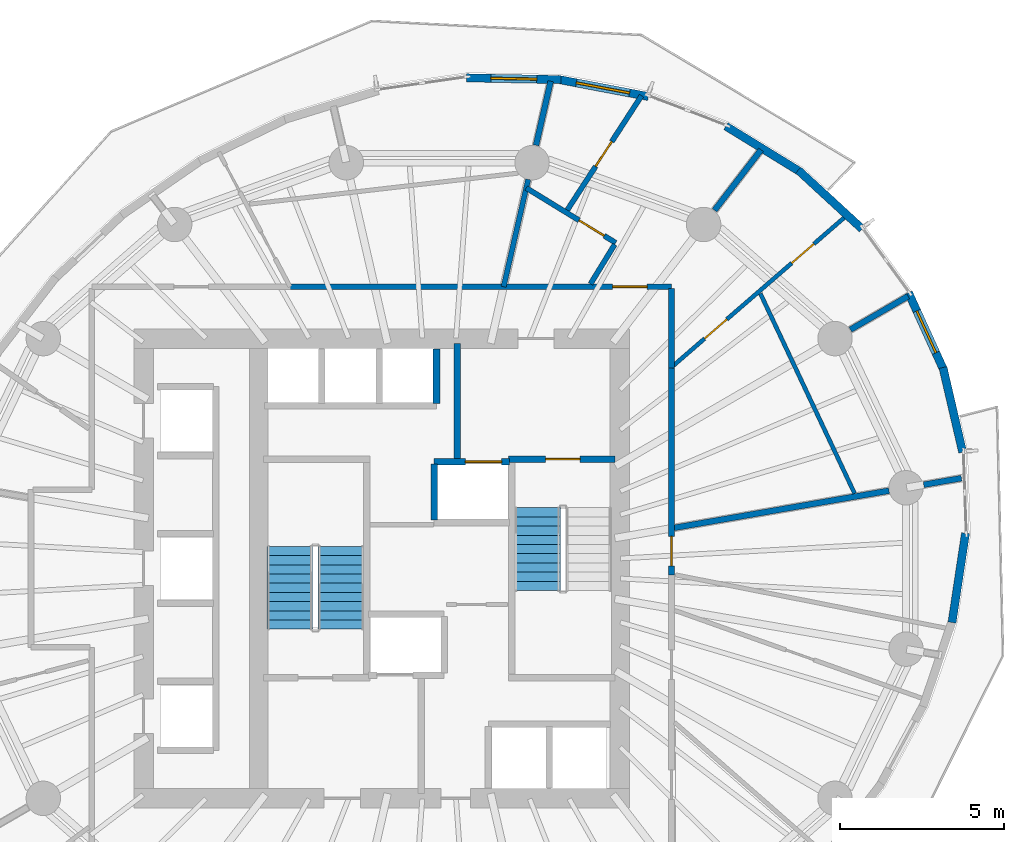
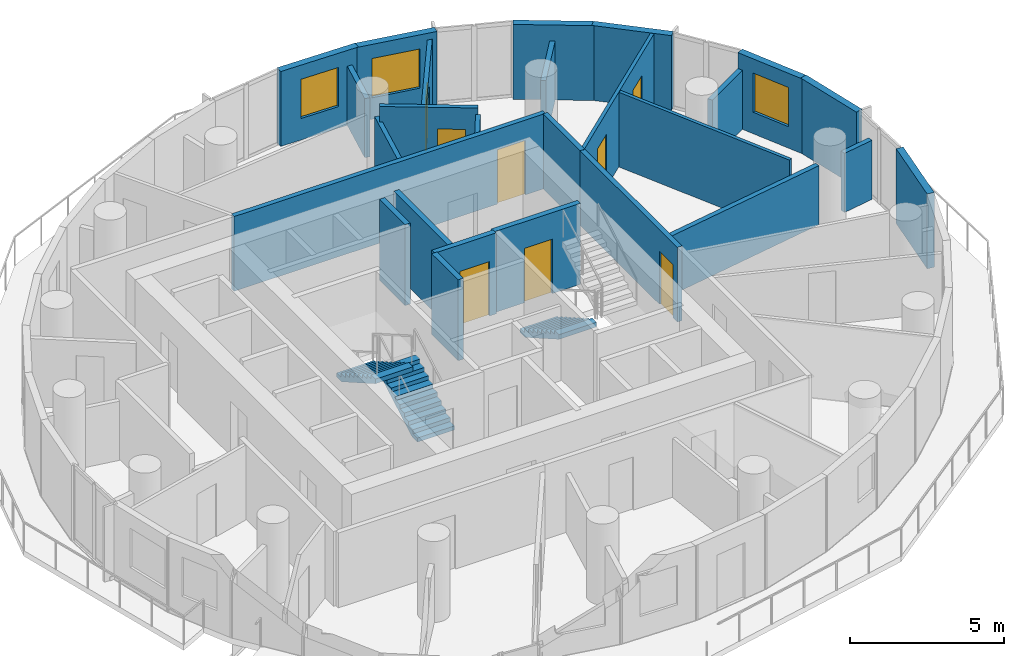
# One storey, part 8 of 14: 26 walls, 8 doors, 3 stair flights, 3 windows, 11 openings, 2 elements without a shape of their own.
"""IFC4 building model written with IfcOpenShell, lengths in metres."""

from ifc_helpers import new_model, si_unit, direction, frame, frame_2d, origin, place, context, subcontext, project, spatial, polyline, rectangle, outline, extrude, material, layer, layer_set, type_object, element, fill, aggregate, save


model = new_model("IFC4")

# Units and contexts
model_context = context("Model", 3, precision=1e-05, world=origin(), true_north=direction((0.0, 1.0)))
body_context = subcontext(model_context, "Body", "Model", "MODEL_VIEW")
ifc_project = project(units=[si_unit("LENGTHUNIT", "METRE"), si_unit("AREAUNIT", "SQUARE_METRE"), si_unit("VOLUMEUNIT", "CUBIC_METRE"), si_unit("PLANEANGLEUNIT", "RADIAN"), si_unit("MASSUNIT", "GRAM", prefix="KILO")], contexts=[model_context])

# Site, building, storey
site_placement = place(None, origin())
site = spatial("IfcSite", under=ifc_project, at=site_placement, CompositionType="ELEMENT")
building_placement = place(site_placement, origin())
building = spatial("IfcBuilding", under=site, at=building_placement, Name="Veldorim Arch Residences", CompositionType="ELEMENT")
storey_placement = place(building_placement, frame((0.0, 0.0, 123.360107421875)))
storey = spatial("IfcBuildingStorey", under=building, at=storey_placement, Name="L36", CompositionType="ELEMENT", Elevation=123.360107421875)

# Wall, openings, doors
ifc_material_1 = material(Name="Acoustic Gypsum Board", Category="gypsum")
ifc_layer_1 = layer(ifc_material_1, 0.125, Name="Acoustic Stud Room Partition Wall 125")
ifc_layer_set_1 = layer_set([ifc_layer_1], Name="Acoustic Gypsum Board")
wall_type_1 = type_object("IfcWallType", Name="Acoustic Stud Room Partition Wall 125", PredefinedType="PARTITIONING", material=ifc_layer_set_1)
wall_1_placement = place(storey_placement, frame((44.415283203125, 34.75244140625, 0.0), z_axis=(0.0, 0.0, 1.0), x_axis=(-0.755899043164, -0.654688197957, 0.0)))
wall_1 = element("IfcWall", 1, at=wall_1_placement, inside=storey, type_object=wall_type_1, Name="L36 interior wall WL-RES-L36-021", PredefinedType="PARTITIONING", context=body_context, shape_type="SweptSolid", body=[
    extrude(rectangle(XDim=7.05810546875, YDim=0.125, at=frame_2d((3.529052734375, 0.0))), origin(), (0.0, 0.0, 1.0), 2.954833984375),
])
opening_1_placement = place(wall_1_placement, frame((1.322998046875, 0.0, 0.0)))
opening_1 = element("IfcOpeningElement", 2, at=opening_1_placement, cuts=wall_1, Name="Opening DR-INT", PredefinedType="OPENING", context=body_context, shape_type="SweptSolid", body=[
    extrude(rectangle(XDim=0.89990234375, YDim=2.10009765625, at=frame_2d((0.449951171875, 1.050048828125))), frame((0.0, 0.072509765625, 0.0), z_axis=(0.0, -1.0, 0.0), x_axis=(1.0, 0.0, 0.0)), (0.0, 0.0, 1.0), 0.14501953125),
])
opening_2_placement = place(wall_1_placement, frame((4.83154296875, 0.0, 0.0)))
opening_2 = element("IfcOpeningElement", 3, at=opening_2_placement, cuts=wall_1, Name="Opening DR-INT", PredefinedType="OPENING", context=body_context, shape_type="SweptSolid", body=[
    extrude(rectangle(XDim=0.89990234375, YDim=2.10009765625, at=frame_2d((0.449951171875, 1.050048828125))), frame((0.0, 0.072509765625, 0.0), z_axis=(0.0, -1.0, 0.0), x_axis=(1.0, 0.0, 0.0)), (0.0, 0.0, 1.0), 0.14501953125),
])
ifc_material_2 = material(Name="Engineered Timber", Category="wood")
door_type_1 = type_object("IfcDoorType", Name="Apartment Internal Room Timber Door 900x2100", OperationType="SINGLE_SWING_LEFT", PredefinedType="DOOR", material=ifc_material_2)
door_1_placement = place(opening_1_placement, origin())
door_1 = element("IfcDoor", 4, at=door_1_placement, inside=storey, type_object=door_type_1, Name="L36 interior door DR-RES-L36-009", OperationType="SINGLE_SWING_LEFT", OverallHeight=2.10009765625, OverallWidth=0.89990234375, PredefinedType="DOOR", context=body_context, shape_type="SweptSolid", body=[
    extrude(rectangle(XDim=0.89990234375, YDim=2.10009765625, at=frame_2d((0.449951171875, 1.050048828125))), frame((0.0, 0.02490234375, 0.0), z_axis=(0.0, -1.0, 0.0), x_axis=(1.0, 0.0, 0.0)), (0.0, 0.0, 1.0), 0.050048828125),
])
fill(opening_1, door_1)
door_2_placement = place(opening_2_placement, origin())
door_2 = element("IfcDoor", 5, at=door_2_placement, inside=storey, type_object=door_type_1, Name="L36 interior door DR-RES-L36-010", OperationType="SINGLE_SWING_RIGHT", OverallHeight=2.10009765625, OverallWidth=0.89990234375, PredefinedType="DOOR", context=body_context, shape_type="SweptSolid", body=[
    extrude(rectangle(XDim=0.89990234375, YDim=2.10009765625, at=frame_2d((0.449951171875, 1.050048828125))), frame((0.0, 0.02490234375, 0.0), z_axis=(0.0, -1.0, 0.0), x_axis=(1.0, 0.0, 0.0)), (0.0, 0.0, 1.0), 0.050048828125),
])
fill(opening_2, door_2)

# Walls
wall_2_placement = place(storey_placement, frame((44.6533203125, 26.284912109375, 0.0), z_axis=(0.0, 0.0, 1.0), x_axis=(-0.426326363779, 0.90456941776, 0.0)))
element("IfcWall", 6, at=wall_2_placement, inside=storey, type_object=wall_type_1, Name="L36 interior wall WL-RES-L36-025", PredefinedType="PARTITIONING", context=body_context, shape_type="SweptSolid", body=[
    extrude(rectangle(XDim=6.729248046875, YDim=0.125, at=frame_2d((3.36474609375, 0.0))), origin(), (0.0, 0.0, 1.0), 2.954833984375),
])
ifc_material_3 = material(Name="Lightweight Masonry Block & Gypsum", Category="masonry")
ifc_layer_2 = layer(ifc_material_3, 0.179931640625, Name="Compartment & Corridor Fire-Rated Party Wall 180")
ifc_layer_set_2 = layer_set([ifc_layer_2], Name="Lightweight Masonry Block & Gypsum")
wall_type_2 = type_object("IfcWallType", Name="Compartment & Corridor Fire-Rated Party Wall 180", PredefinedType="PARTITIONING", material=ifc_layer_set_2)
wall_3_placement = place(storey_placement, frame((46.75830078125, 26.55078125, 0.0), z_axis=(0.0, 0.0, 1.0), x_axis=(0.98537549431, 0.170396992969, 0.0)))
element("IfcWall", 7, at=wall_3_placement, inside=storey, type_object=wall_type_2, Name="L36 interior wall WL-PIER-L36-01", PredefinedType="PARTITIONING", context=body_context, shape_type="SweptSolid", body=[
    extrude(rectangle(XDim=1.167724609375, YDim=0.179931640625, at=frame_2d((0.583984375, 0.0))), origin(), (0.0, 0.0, 1.0), 2.335693359375),
])
wall_4_placement = place(storey_placement, frame((44.527587890625, 31.27392578125, 0.0), z_axis=(0.0, 0.0, 1.0), x_axis=(0.86481084581, 0.502097800203, 0.0)))
element("IfcWall", 8, at=wall_4_placement, inside=storey, type_object=wall_type_2, Name="L36 interior wall WL-PIER-L36-02", PredefinedType="PARTITIONING", context=body_context, shape_type="SweptSolid", body=[
    extrude(rectangle(XDim=2.030029296875, YDim=0.179931640625, at=frame_2d((1.01513671875, 0.0))), origin(), (0.0, 0.0, 1.0), 2.335693359375),
])
wall_5_placement = place(storey_placement, frame((40.387939453125, 34.908447265625, 0.0), z_axis=(0.0, 0.0, 1.0), x_axis=(0.609553382458, 0.792745024541, 0.0)))
element("IfcWall", 9, at=wall_5_placement, inside=storey, type_object=wall_type_2, Name="L36 interior wall WL-PIER-L36-03", PredefinedType="PARTITIONING", context=body_context, shape_type="SweptSolid", body=[
    extrude(rectangle(XDim=2.32421875, YDim=0.179931640625, at=frame_2d((1.162109375, 0.0))), origin(), (0.0, 0.0, 1.0), 2.335693359375),
])
wall_6_placement = place(storey_placement, frame((34.950439453125, 36.88916015625, 0.0), z_axis=(0.0, 0.0, 1.0), x_axis=(0.2231492674, 0.974784286116, 0.0)))
element("IfcWall", 10, at=wall_6_placement, inside=storey, type_object=wall_type_2, Name="L36 interior wall WL-PIER-L36-04", PredefinedType="PARTITIONING", context=body_context, shape_type="SweptSolid", body=[
    extrude(rectangle(XDim=2.002197265625, YDim=0.179931640625, at=frame_2d((1.0009765625, 0.0))), origin(), (0.0, 0.0, 1.0), 2.335693359375),
])

# Wall, opening, door
wall_7_placement = place(storey_placement, frame((39.080078125, 30.158203125, 0.0), z_axis=(0.0, 0.0, 1.0), x_axis=(0.0, -1.0, 0.0)))
wall_7 = element("IfcWall", 11, at=wall_7_placement, inside=storey, type_object=wall_type_2, Name="L36 interior wall WL-RES-L36-003", PredefinedType="PARTITIONING", context=body_context, shape_type="SweptSolid", body=[
    extrude(rectangle(XDim=6.350341796875, YDim=0.179931640625, at=frame_2d((3.17529296875, 0.0))), origin(), (0.0, 0.0, 1.0), 2.954833984375),
])
opening_3_placement = place(wall_7_placement, frame((5.18212890625, 0.0, 0.0)))
opening_3 = element("IfcOpeningElement", 12, at=opening_3_placement, cuts=wall_7, Name="Opening DR-INT", PredefinedType="OPENING", context=body_context, shape_type="SweptSolid", body=[
    extrude(rectangle(XDim=0.89990234375, YDim=2.10009765625, at=frame_2d((0.449951171875, 1.050048828125))), frame((0.0, 0.099853515625, 0.0), z_axis=(0.0, -1.0, 0.0), x_axis=(1.0, 0.0, 0.0)), (0.0, 0.0, 1.0), 0.199951171875),
])
door_3_placement = place(opening_3_placement, origin())
door_3 = element("IfcDoor", 13, at=door_3_placement, inside=storey, type_object=door_type_1, Name="L36 interior door DR-RES-L36-005", OperationType="SINGLE_SWING_LEFT", OverallHeight=2.10009765625, OverallWidth=0.89990234375, PredefinedType="DOOR", context=body_context, shape_type="SweptSolid", body=[
    extrude(rectangle(XDim=0.89990234375, YDim=2.10009765625, at=frame_2d((0.449951171875, 1.050048828125))), frame((0.0, 0.02490234375, 0.0), z_axis=(0.0, -1.0, 0.0), x_axis=(1.0, 0.0, 0.0)), (0.0, 0.0, 1.0), 0.050048828125),
])
fill(opening_3, door_3)

wall_8_placement = place(storey_placement, frame((27.435302734375, 32.580078125, 0.0), z_axis=(0.0, 0.0, 1.0), x_axis=(1.0, 0.0, 0.0)))
wall_8 = element("IfcWall", 14, at=wall_8_placement, inside=storey, type_object=wall_type_2, Name="L36 interior wall WL-RES-L36-004", PredefinedType="PARTITIONING", context=body_context, shape_type="SweptSolid", body=[
    extrude(rectangle(XDim=11.644775390625, YDim=0.179931640625, at=frame_2d((5.822265625, 0.0))), origin(), (0.0, 0.0, 1.0), 2.954833984375),
])
opening_4_placement = place(wall_8_placement, frame((9.848388671875, 0.0, 0.0)))
opening_4 = element("IfcOpeningElement", 15, at=opening_4_placement, cuts=wall_8, Name="Opening DR-FLT", PredefinedType="OPENING", context=body_context, shape_type="SweptSolid", body=[
    extrude(rectangle(XDim=1.050048828125, YDim=2.14990234375, at=frame_2d((0.52490234375, 1.074951171875))), frame((0.0, 0.099853515625, 0.0), z_axis=(0.0, -1.0, 0.0), x_axis=(1.0, 0.0, 0.0)), (0.0, 0.0, 1.0), 0.199951171875),
])
ifc_material_4 = material(Name="Fire-Rated Timber", Category="wood")
door_type_2 = type_object("IfcDoorType", Name="Apartment Entrance Solid-Core Fire Door 1050x2150", OperationType="SINGLE_SWING_LEFT", PredefinedType="DOOR", material=ifc_material_4)
door_4_placement = place(opening_4_placement, origin())
door_4 = element("IfcDoor", 16, at=door_4_placement, inside=storey, type_object=door_type_2, Name="L36 interior door DR-RES-L36-007", OperationType="SINGLE_SWING_LEFT", OverallHeight=2.14990234375, OverallWidth=1.050048828125, PredefinedType="DOOR", context=body_context, shape_type="SweptSolid", body=[
    extrude(rectangle(XDim=1.050048828125, YDim=2.14990234375, at=frame_2d((0.52490234375, 1.074951171875))), frame((0.0, 0.02490234375, 0.0), z_axis=(0.0, -1.0, 0.0), x_axis=(1.0, 0.0, 0.0)), (0.0, 0.0, 1.0), 0.050048828125),
])
fill(opening_4, door_4)

# Walls
wall_9_placement = place(storey_placement, frame((39.080078125, 32.52001953125, 0.0), z_axis=(0.0, 0.0, 1.0), x_axis=(0.0, -1.0, 0.0)))
element("IfcWall", 17, at=wall_9_placement, inside=storey, type_object=wall_type_2, Name="L36 interior wall WL-RES-L36-005", PredefinedType="PARTITIONING", context=body_context, shape_type="SweptSolid", body=[
    extrude(rectangle(XDim=2.408203125, YDim=0.179931640625, at=frame_2d((1.2041015625, 0.0))), origin(), (0.0, 0.0, 1.0), 2.954833984375),
])
wall_10_placement = place(storey_placement, frame((39.080078125, 25.2236328125, 0.0), z_axis=(0.0, 0.0, 1.0), x_axis=(0.985384524795, 0.17034476304, 0.0)))
element("IfcWall", 18, at=wall_10_placement, inside=storey, type_object=wall_type_2, Name="L36 interior wall WL-RES-L36-019", PredefinedType="PARTITIONING", context=body_context, shape_type="SweptSolid", body=[
    extrude(rectangle(XDim=6.7216796875, YDim=0.179931640625, at=frame_2d((3.36083984375, 0.0))), origin(), (0.0, 0.0, 1.0), 2.335693359375),
])

# Wall, opening, door
ifc_material_5 = material(Name="Concrete C50/60", Category="concrete")
ifc_layer_3 = layer(ifc_material_5, 0.199951171875, Name="Core Stair & Lift Shaft Enclosure Wall 200")
ifc_layer_set_3 = layer_set([ifc_layer_3], Name="Concrete C50/60")
wall_type_3 = type_object("IfcWallType", Name="Core Stair & Lift Shaft Enclosure Wall 200", PredefinedType="SHEAR", material=ifc_layer_set_3)
wall_11_placement = place(storey_placement, frame((34.110107421875, 27.330078125, 0.0), z_axis=(0.0, 0.0, 1.0), x_axis=(1.0, 0.0, 0.0)))
wall_11 = element("IfcWall", 19, at=wall_11_placement, inside=storey, type_object=wall_type_3, Name="L36 shaft wall WL-SHF-L36-ST2-N", PredefinedType="SHEAR", context=body_context, shape_type="SweptSolid", body=[
    extrude(rectangle(XDim=3.239990234375, YDim=0.199951171875, at=frame_2d((1.6201171875, 0.0))), origin(), (0.0, 0.0, 1.0), 3.199951171875),
])
opening_5_placement = place(wall_11_placement, frame((1.135009765625, 0.0, 0.0)))
opening_5 = element("IfcOpeningElement", 20, at=opening_5_placement, cuts=wall_11, Name="Opening DR-ST", PredefinedType="OPENING", context=body_context, shape_type="SweptSolid", body=[
    extrude(rectangle(XDim=1.050048828125, YDim=2.14990234375, at=frame_2d((0.52490234375, 1.074951171875))), frame((0.0, 0.10986328125, 0.0), z_axis=(0.0, -1.0, 0.0), x_axis=(1.0, 0.0, 0.0)), (0.0, 0.0, 1.0), 0.219970703125),
])
ifc_material_6 = material(Name="Fire-Rated Steel", Category="steel")
door_type_3 = type_object("IfcDoorType", Name="Exit Staircase Self-Closing Fire Door 1050x2150", OperationType="SINGLE_SWING_LEFT", PredefinedType="DOOR", material=ifc_material_6)
door_5_placement = place(opening_5_placement, origin())
door_5 = element("IfcDoor", 21, at=door_5_placement, inside=storey, type_object=door_type_3, Name="L36 interior door DR-L36-ST2", OperationType="SINGLE_SWING_RIGHT", OverallHeight=2.14990234375, OverallWidth=1.050048828125, PredefinedType="DOOR", context=body_context, shape_type="SweptSolid", body=[
    extrude(rectangle(XDim=1.050048828125, YDim=2.14990234375, at=frame_2d((0.52490234375, 1.074951171875))), frame((0.0, 0.02490234375, 0.0), z_axis=(0.0, -1.0, 0.0), x_axis=(1.0, 0.0, 0.0)), (0.0, 0.0, 1.0), 0.050048828125),
])
fill(opening_5, door_5)

# Wall
wall_12_placement = place(storey_placement, frame((32.550048828125, 27.35009765625, 0.0), z_axis=(0.0, 0.0, 1.0), x_axis=(0.0, 1.0, 0.0)))
element("IfcWall", 22, at=wall_12_placement, inside=storey, type_object=wall_type_3, Name="L36 shaft wall WL-FFL2-L36-W", PredefinedType="SHEAR", context=body_context, shape_type="SweptSolid", body=[
    extrude(rectangle(XDim=3.5, YDim=0.199951171875, at=frame_2d((1.75, 0.0))), origin(), (0.0, 0.0, 1.0), 3.199951171875),
])

# Wall, opening, door
wall_13_placement = place(storey_placement, frame((31.85009765625, 27.25, 0.0), z_axis=(0.0, 0.0, 1.0), x_axis=(1.0, 0.0, 0.0)))
wall_13 = element("IfcWall", 23, at=wall_13_placement, inside=storey, type_object=wall_type_3, Name="L36 shaft wall WL-FL02-L36-N", PredefinedType="SHEAR", context=body_context, shape_type="SweptSolid", body=[
    extrude(rectangle(XDim=2.2998046875, YDim=0.199951171875, at=frame_2d((1.14990234375, 0.0))), origin(), (0.0, 0.0, 1.0), 3.199951171875),
])
opening_6_placement = place(wall_13_placement, frame((0.949951171875, 0.0, 0.0)))
opening_6 = element("IfcOpeningElement", 24, at=opening_6_placement, cuts=wall_13, Name="Opening LD-FF", PredefinedType="OPENING", context=body_context, shape_type="SweptSolid", body=[
    extrude(rectangle(XDim=1.10009765625, YDim=2.14990234375, at=frame_2d((0.550048828125, 1.074951171875))), frame((0.0, 0.10986328125, 0.0), z_axis=(0.0, -1.0, 0.0), x_axis=(1.0, 0.0, 0.0)), (0.0, 0.0, 1.0), 0.219970703125),
])
ifc_material_7 = material(Name="Stainless Steel", Category="steel")
door_type_4 = type_object("IfcDoorType", Name="Firefighting Lift Bi-Parting Sliding Landing Door 1100x2150", OperationType="DOUBLE_DOOR_SLIDING", PredefinedType="DOOR", material=ifc_material_7)
door_6_placement = place(opening_6_placement, origin())
door_6 = element("IfcDoor", 25, at=door_6_placement, inside=storey, type_object=door_type_4, Name="L36 lift landing door LD-L36-FL02", OperationType="DOUBLE_DOOR_SLIDING", OverallHeight=2.14990234375, OverallWidth=1.10009765625, PredefinedType="DOOR", context=body_context, shape_type="SweptSolid", body=[
    extrude(rectangle(XDim=1.10009765625, YDim=2.14990234375, at=frame_2d((0.550048828125, 1.074951171875))), frame((0.0, 0.02490234375, 0.0), z_axis=(0.0, -1.0, 0.0), x_axis=(1.0, 0.0, 0.0)), (0.0, 0.0, 1.0), 0.050048828125),
])
fill(opening_6, door_6)

# Walls
wall_14_placement = place(storey_placement, frame((31.85009765625, 25.469970703125, 0.0), z_axis=(0.0, 0.0, 1.0), x_axis=(0.0, 1.0, 0.0)))
element("IfcWall", 26, at=wall_14_placement, inside=storey, type_object=wall_type_3, Name="L36 shaft wall WL-FL02-L36-W", PredefinedType="SHEAR", context=body_context, shape_type="SweptSolid", body=[
    extrude(rectangle(XDim=1.7099609375, YDim=0.199951171875, at=frame_2d((0.85498046875, 0.0))), origin(), (0.0, 0.0, 1.0), 3.199951171875),
])
wall_15_placement = place(storey_placement, frame((31.919921875, 29.02001953125, 0.0), z_axis=(0.0, 0.0, 1.0), x_axis=(0.0, 1.0, 0.0)))
element("IfcWall", 27, at=wall_15_placement, inside=storey, type_object=wall_type_3, Name="L36 shaft wall WL-B3-L36-E", PredefinedType="SHEAR", context=body_context, shape_type="SweptSolid", body=[
    extrude(rectangle(XDim=1.659912109375, YDim=0.199951171875, at=frame_2d((0.830078125, 0.0))), origin(), (0.0, 0.0, 1.0), 3.199951171875),
])
ifc_material_8 = material(Name="Precast concrete C40/50", Category="concrete")
ifc_layer_4 = layer(ifc_material_8, 0.25, Name="Tower Terracotta Spandrel & Pier Wall 250")
ifc_layer_set_4 = layer_set([ifc_layer_4], Name="Precast concrete C40/50")
wall_type_4 = type_object("IfcWallType", Name="Tower Terracotta Spandrel & Pier Wall 250", PredefinedType="SOLIDWALL", material=ifc_layer_set_4)
wall_16_placement = place(storey_placement, frame((42.938720703125, 36.132080078125, 0.0), z_axis=(0.0, 0.0, 1.0), x_axis=(0.73572884951, -0.677276206579, 0.0)))
element("IfcWall", 28, at=wall_16_placement, inside=storey, type_object=wall_type_4, Name="L36 terracotta facade wall 02", PredefinedType="SOLIDWALL", context=body_context, shape_type="SweptSolid", body=[
    extrude(rectangle(XDim=2.64794921875, YDim=0.25, at=frame_2d((1.323974609375, 0.0))), origin(), (0.0, 0.0, 1.0), 2.9599609375),
])
wall_17_placement = place(storey_placement, frame((40.734619140625, 37.472900390625, 0.0), z_axis=(0.0, 0.0, 1.0), x_axis=(0.852103133134, -0.523373910797, 0.0)))
element("IfcWall", 29, at=wall_17_placement, inside=storey, type_object=wall_type_4, Name="L36 terracotta facade wall 03", PredefinedType="SOLIDWALL", context=body_context, shape_type="SweptSolid", body=[
    extrude(rectangle(XDim=2.69287109375, YDim=0.25, at=frame_2d((1.346435546875, 0.0))), origin(), (0.0, 0.0, 1.0), 2.9599609375),
])

# Wall, opening, window
wall_18_placement = place(storey_placement, frame((35.6044921875, 38.901123046875, 0.0), z_axis=(0.0, 0.0, 1.0), x_axis=(0.982412055756, -0.18672587583, 0.0)))
wall_18 = element("IfcWall", 30, at=wall_18_placement, inside=storey, type_object=wall_type_4, Name="L36 terracotta facade wall 05", PredefinedType="SOLIDWALL", context=body_context, shape_type="SweptSolid", body=[
    extrude(rectangle(XDim=2.817626953125, YDim=0.25, at=frame_2d((1.40869140625, 0.0))), origin(), (0.0, 0.0, 1.0), 2.9599609375),
])
opening_7_placement = place(wall_18_placement, frame((0.583984375, 0.0, 0.85009765625)))
opening_7 = element("IfcOpeningElement", 31, at=opening_7_placement, cuts=wall_18, Name="Opening WN-03", PredefinedType="OPENING", context=body_context, shape_type="SweptSolid", body=[
    extrude(rectangle(XDim=1.64990234375, YDim=1.550048828125, at=frame_2d((0.824951171875, 0.77490234375))), frame((0.0, 0.135009765625, 0.0), z_axis=(0.0, -1.0, 0.0), x_axis=(1.0, 0.0, 0.0)), (0.0, 0.0, 1.0), 0.27001953125),
])
ifc_material_9 = material(Name="Laminated Low-E Glass", Category="glass")
window_type_1 = type_object("IfcWindowType", Name="Residential Wide Window 1650x1550", PartitioningType="SINGLE_PANEL", PredefinedType="WINDOW", material=ifc_material_9)
window_1_placement = place(opening_7_placement, origin())
window_1 = element("IfcWindow", 32, at=window_1_placement, inside=storey, type_object=window_type_1, Name="L36 solar-control facade window 05", OverallHeight=1.550048828125, OverallWidth=1.64990234375, PartitioningType="SINGLE_PANEL", PredefinedType="WINDOW", context=body_context, shape_type="SweptSolid", body=[
    extrude(rectangle(XDim=1.64990234375, YDim=1.550048828125, at=frame_2d((0.824951171875, 0.77490234375))), frame((0.0, 0.030029296875, 0.0), z_axis=(0.0, -1.0, 0.0), x_axis=(1.0, 0.0, 0.0)), (0.0, 0.0, 1.0), 0.06005859375),
])
fill(opening_7, window_1)

wall_19_placement = place(storey_placement, frame((32.83349609375, 38.944580078125, 0.0), z_axis=(0.0, 0.0, 1.0), x_axis=(0.99981990109, -0.018978023714, 0.0)))
wall_19 = element("IfcWall", 33, at=wall_19_placement, inside=storey, type_object=wall_type_4, Name="L36 terracotta facade wall 06", PredefinedType="SOLIDWALL", context=body_context, shape_type="SweptSolid", body=[
    extrude(rectangle(XDim=2.881591796875, YDim=0.25, at=frame_2d((1.44091796875, 0.0))), origin(), (0.0, 0.0, 1.0), 2.9599609375),
])
opening_8_placement = place(wall_19_placement, frame((0.740966796875, 0.0, 0.85009765625)))
opening_8 = element("IfcOpeningElement", 34, at=opening_8_placement, cuts=wall_19, Name="Opening WN-02", PredefinedType="OPENING", context=body_context, shape_type="SweptSolid", body=[
    extrude(rectangle(XDim=1.39990234375, YDim=1.550048828125, at=frame_2d((0.699951171875, 0.77490234375))), frame((0.0, 0.135009765625, 0.0), z_axis=(0.0, -1.0, 0.0), x_axis=(1.0, 0.0, 0.0)), (0.0, 0.0, 1.0), 0.27001953125),
])
ifc_material_10 = material(Name="Laminated Low-E Glass", Category="glass")
window_type_2 = type_object("IfcWindowType", Name="Residential Casement Window 1400x1550", PartitioningType="SINGLE_PANEL", PredefinedType="WINDOW", material=ifc_material_10)
window_2_placement = place(opening_8_placement, origin())
window_2 = element("IfcWindow", 35, at=window_2_placement, inside=storey, type_object=window_type_2, Name="L36 solar-control facade window 06", OverallHeight=1.550048828125, OverallWidth=1.39990234375, PartitioningType="SINGLE_PANEL", PredefinedType="WINDOW", context=body_context, shape_type="SweptSolid", body=[
    extrude(rectangle(XDim=1.39990234375, YDim=1.550048828125, at=frame_2d((0.699951171875, 0.77490234375))), frame((0.0, 0.030029296875, 0.0), z_axis=(0.0, -1.0, 0.0), x_axis=(1.0, 0.0, 0.0)), (0.0, 0.0, 1.0), 0.06005859375),
])
fill(opening_8, window_2)

# Walls
wall_20_placement = place(storey_placement, frame((48.033935546875, 25.07470703125, 0.0), z_axis=(0.0, 0.0, 1.0), x_axis=(-0.149576734229, -0.988750120393, 0.0)))
element("IfcWall", 36, at=wall_20_placement, inside=storey, type_object=wall_type_4, Name="L36 terracotta facade wall 33", PredefinedType="SOLIDWALL", context=body_context, shape_type="SweptSolid", body=[
    extrude(rectangle(XDim=2.751953125, YDim=0.25, at=frame_2d((1.3759765625, 0.0))), origin(), (0.0, 0.0, 1.0), 2.9599609375),
])
wall_21_placement = place(storey_placement, frame((47.34619140625, 30.1201171875, 0.0), z_axis=(0.0, 0.0, 1.0), x_axis=(0.226865331245, -0.973926137589, 0.0)))
element("IfcWall", 37, at=wall_21_placement, inside=storey, type_object=wall_type_4, Name="L36 terracotta facade wall 35", PredefinedType="SOLIDWALL", context=body_context, shape_type="SweptSolid", body=[
    extrude(rectangle(XDim=2.6484375, YDim=0.25, at=frame_2d((1.32421875, 0.0))), origin(), (0.0, 0.0, 1.0), 2.9599609375),
])

# Wall, opening, window
wall_22_placement = place(storey_placement, frame((46.295166015625, 32.399658203125, 0.0), z_axis=(0.0, 0.0, 1.0), x_axis=(0.41458087789, -0.910012470073, 0.0)))
wall_22 = element("IfcWall", 38, at=wall_22_placement, inside=storey, type_object=wall_type_4, Name="L36 terracotta facade wall 36", PredefinedType="SOLIDWALL", context=body_context, shape_type="SweptSolid", body=[
    extrude(rectangle(XDim=2.6240234375, YDim=0.25, at=frame_2d((1.31201171875, 0.0))), origin(), (0.0, 0.0, 1.0), 2.9599609375),
])
opening_9_placement = place(wall_22_placement, frame((0.612060546875, 0.0, 0.85009765625)))
opening_9 = element("IfcOpeningElement", 39, at=opening_9_placement, cuts=wall_22, Name="Opening WN-02", PredefinedType="OPENING", context=body_context, shape_type="SweptSolid", body=[
    extrude(rectangle(XDim=1.39990234375, YDim=1.550048828125, at=frame_2d((0.699951171875, 0.77490234375))), frame((0.0, 0.135009765625, 0.0), z_axis=(0.0, -1.0, 0.0), x_axis=(1.0, 0.0, 0.0)), (0.0, 0.0, 1.0), 0.27001953125),
])
window_3_placement = place(opening_9_placement, origin())
window_3 = element("IfcWindow", 40, at=window_3_placement, inside=storey, type_object=window_type_2, Name="L36 solar-control facade window 36", OverallHeight=1.550048828125, OverallWidth=1.39990234375, PartitioningType="SINGLE_PANEL", PredefinedType="WINDOW", context=body_context, shape_type="SweptSolid", body=[
    extrude(rectangle(XDim=1.39990234375, YDim=1.550048828125, at=frame_2d((0.699951171875, 0.77490234375))), frame((0.0, 0.030029296875, 0.0), z_axis=(0.0, -1.0, 0.0), x_axis=(1.0, 0.0, 0.0)), (0.0, 0.0, 1.0), 0.06005859375),
])
fill(opening_9, window_3)

# Wall, opening, door
ifc_material_11 = material(Name="Moisture-Resistant Gypsum & Stud", Category="gypsum")
ifc_layer_5 = layer(ifc_material_11, 0.159912109375, Name="Wet-Area Moisture-Resistant Plumbing Wall 160")
ifc_layer_set_5 = layer_set([ifc_layer_5], Name="Moisture-Resistant Gypsum & Stud")
wall_type_5 = type_object("IfcWallType", Name="Wet-Area Moisture-Resistant Plumbing Wall 160", PredefinedType="PLUMBINGWALL", material=ifc_layer_set_5)
wall_23_placement = place(storey_placement, frame((35.859619140625, 34.850341796875, 0.0), z_axis=(0.0, 0.0, 1.0), x_axis=(0.544769331989, 0.83858593771, 0.0)))
wall_23 = element("IfcWall", 41, at=wall_23_placement, inside=storey, type_object=wall_type_5, Name="L36 interior wall WL-RES-L36-020", PredefinedType="PLUMBINGWALL", context=body_context, shape_type="SweptSolid", body=[
    extrude(rectangle(XDim=4.23193359375, YDim=0.159912109375, at=frame_2d((2.115966796875, 0.0))), origin(), (0.0, 0.0, 1.0), 2.69189453125),
])
opening_10_placement = place(wall_23_placement, frame((1.666015625, 0.0, 0.0)))
opening_10 = element("IfcOpeningElement", 42, at=opening_10_placement, cuts=wall_23, Name="Opening DR-WC", PredefinedType="OPENING", context=body_context, shape_type="SweptSolid", body=[
    extrude(rectangle(XDim=0.89990234375, YDim=2.10009765625, at=frame_2d((0.449951171875, 1.050048828125))), frame((0.0, 0.08984375, 0.0), z_axis=(0.0, -1.0, 0.0), x_axis=(1.0, 0.0, 0.0)), (0.0, 0.0, 1.0), 0.179931640625),
])
ifc_material_12 = material(Name="Laminate Timber", Category="wood")
door_type_5 = type_object("IfcDoorType", Name="Bathroom & Accessible WC Moisture-Sealed Door 900x2100", OperationType="SINGLE_SWING_LEFT", PredefinedType="DOOR", material=ifc_material_12)
door_7_placement = place(opening_10_placement, origin())
door_7 = element("IfcDoor", 43, at=door_7_placement, inside=storey, type_object=door_type_5, Name="L36 interior door DR-RES-L36-008", OperationType="SINGLE_SWING_RIGHT", OverallHeight=2.10009765625, OverallWidth=0.89990234375, PredefinedType="DOOR", context=body_context, shape_type="SweptSolid", body=[
    extrude(rectangle(XDim=0.89990234375, YDim=2.10009765625, at=frame_2d((0.449951171875, 1.050048828125))), frame((0.0, 0.02490234375, 0.0), z_axis=(0.0, -1.0, 0.0), x_axis=(1.0, 0.0, 0.0)), (0.0, 0.0, 1.0), 0.050048828125),
])
fill(opening_10, door_7)

wall_24_placement = place(storey_placement, frame((37.378173828125, 33.918701171875, 0.0), z_axis=(0.0, 0.0, 1.0), x_axis=(-0.852404729952, 0.522882564593, 0.0)))
wall_24 = element("IfcWall", 44, at=wall_24_placement, inside=storey, type_object=wall_type_5, Name="L36 interior wall WL-RES-L36-022", PredefinedType="PLUMBINGWALL", context=body_context, shape_type="SweptSolid", body=[
    extrude(rectangle(XDim=3.197021484375, YDim=0.159912109375, at=frame_2d((1.5986328125, 0.0))), origin(), (0.0, 0.0, 1.0), 2.954833984375),
])
opening_11_placement = place(wall_24_placement, frame((0.410888671875, 0.0, 0.0)))
opening_11 = element("IfcOpeningElement", 45, at=opening_11_placement, cuts=wall_24, Name="Opening DR-INT", PredefinedType="OPENING", context=body_context, shape_type="SweptSolid", body=[
    extrude(rectangle(XDim=0.89990234375, YDim=2.10009765625, at=frame_2d((0.449951171875, 1.050048828125))), frame((0.0, 0.08984375, 0.0), z_axis=(0.0, -1.0, 0.0), x_axis=(1.0, 0.0, 0.0)), (0.0, 0.0, 1.0), 0.179931640625),
])
door_8_placement = place(opening_11_placement, origin())
door_8 = element("IfcDoor", 46, at=door_8_placement, inside=storey, type_object=door_type_1, Name="L36 interior door DR-RES-L36-011", OperationType="SINGLE_SWING_LEFT", OverallHeight=2.10009765625, OverallWidth=0.89990234375, PredefinedType="DOOR", context=body_context, shape_type="SweptSolid", body=[
    extrude(rectangle(XDim=0.89990234375, YDim=2.10009765625, at=frame_2d((0.449951171875, 1.050048828125))), frame((0.0, 0.02490234375, 0.0), z_axis=(0.0, -1.0, 0.0), x_axis=(1.0, 0.0, 0.0)), (0.0, 0.0, 1.0), 0.050048828125),
])
fill(opening_11, door_8)

# Walls
wall_25_placement = place(storey_placement, frame((36.609375, 32.665283203125, 0.0), z_axis=(0.0, 0.0, 1.0), x_axis=(0.522744698365, 0.852489284585, 0.0)))
element("IfcWall", 47, at=wall_25_placement, inside=storey, type_object=wall_type_5, Name="L36 interior wall WL-RES-L36-023", PredefinedType="PLUMBINGWALL", context=body_context, shape_type="SweptSolid", body=[
    extrude(rectangle(XDim=1.410400390625, YDim=0.159912109375, at=frame_2d((0.705078125, 0.0))), origin(), (0.0, 0.0, 1.0), 2.69189453125),
])
wall_26_placement = place(storey_placement, frame((33.9638671875, 32.580078125, 0.0), z_axis=(0.0, 0.0, 1.0), x_axis=(0.223211982142, 0.974769927228, 0.0)))
element("IfcWall", 48, at=wall_26_placement, inside=storey, type_object=wall_type_5, Name="L36 interior wall WL-RES-L36-024", PredefinedType="PLUMBINGWALL", context=body_context, shape_type="SweptSolid", body=[
    extrude(rectangle(XDim=3.355712890625, YDim=0.159912109375, at=frame_2d((1.677734375, 0.0))), origin(), (0.0, 0.0, 1.0), 2.335693359375),
])

# Stair, stair flights
ifc_material_13 = material(Name="Concrete C40/50", Category="concrete")
stair_type = type_object("IfcStairType", Name="Reinforced Concrete Dogleg Exit Staircase", PredefinedType="HALF_TURN_STAIR", material=ifc_material_13)
stair_1_placement = place(storey_placement, origin())
stair_1 = element("IfcStair", 49, at=stair_1_placement, inside=storey, type_object=stair_type, Name="L36 Exit Staircase ST-1", PredefinedType="HALF_TURN_STAIR")
ifc_material_14 = material(Name="Concrete C40/50", Category="concrete")
stair_flight_type = type_object("IfcStairFlightType", Name="Reinforced Concrete Stair Flight 1400", PredefinedType="STRAIGHT", material=ifc_material_14)
stair_flight_1_placement = place(storey_placement, frame((29.010009765625, 22.14990234375, 0.0), z_axis=(0.0, 0.0, 1.0), x_axis=(0.0, 1.0, 0.0)))
stair_flight_1 = element("IfcStairFlight", 50, at=stair_flight_1_placement, type_object=stair_flight_type, Name="ST-1 flight 1", NumberOfRisers=10, NumberOfTreads=9, PredefinedType="STRAIGHT", RiserHeight=0.16, TreadLength=0.28, context=body_context, shape_type="SweptSolid", body=[
    extrude(outline(polyline([(0.0, 0.0), (0.0, 0.159912109375), (0.280029296875, 0.159912109375), (0.280029296875, 0.320068359375), (0.56005859375, 0.320068359375), (0.56005859375, 0.47998046875), (0.840087890625, 0.47998046875), (0.840087890625, 0.639892578125), (1.1201171875, 0.639892578125), (1.1201171875, 0.800048828125), (1.39990234375, 0.800048828125), (1.39990234375, 0.9599609375), (1.679931640625, 0.9599609375), (1.679931640625, 1.1201171875), (1.9599609375, 1.1201171875), (1.9599609375, 1.280029296875), (2.239990234375, 1.280029296875), (2.239990234375, 1.43994140625), (2.52001953125, 1.43994140625), (2.52001953125, 1.60009765625), (2.52001953125, 1.255859375), (0.322265625, 0.0), (0.0, 0.0)])), frame((0.0, 0.699951171875, 0.0), z_axis=(0.0, -1.0, 0.0), x_axis=(1.0, 0.0, 0.0)), (0.0, 0.0, 1.0), 1.39990234375),
])
stair_flight_2_placement = place(storey_placement, frame((27.449951171875, 24.669921875, 1.599853515625), z_axis=(0.0, 0.0, 1.0), x_axis=(0.0, -1.0, 0.0)))
stair_flight_2 = element("IfcStairFlight", 51, at=stair_flight_2_placement, type_object=stair_flight_type, Name="ST-1 flight 2", NumberOfRisers=10, NumberOfTreads=9, PredefinedType="STRAIGHT", RiserHeight=0.16, TreadLength=0.28, context=body_context, shape_type="SweptSolid", body=[
    extrude(outline(polyline([(0.0, 0.0), (0.0, 0.159912109375), (0.280029296875, 0.159912109375), (0.280029296875, 0.320068359375), (0.56005859375, 0.320068359375), (0.56005859375, 0.47998046875), (0.840087890625, 0.47998046875), (0.840087890625, 0.639892578125), (1.1201171875, 0.639892578125), (1.1201171875, 0.800048828125), (1.39990234375, 0.800048828125), (1.39990234375, 0.9599609375), (1.679931640625, 0.9599609375), (1.679931640625, 1.1201171875), (1.9599609375, 1.1201171875), (1.9599609375, 1.280029296875), (2.239990234375, 1.280029296875), (2.239990234375, 1.43994140625), (2.52001953125, 1.43994140625), (2.52001953125, 1.60009765625), (2.52001953125, 1.255859375), (0.322265625, 0.0), (0.0, 0.0)])), frame((0.0, 0.699951171875, 0.0), z_axis=(0.0, -1.0, 0.0), x_axis=(1.0, 0.0, 0.0)), (0.0, 0.0, 1.0), 1.39990234375),
])
aggregate(stair_1, [stair_flight_1, stair_flight_2])

# Stair, stair flight
stair_2_placement = place(storey_placement, origin())
stair_2 = element("IfcStair", 52, at=stair_2_placement, inside=storey, type_object=stair_type, Name="L36 Exit Staircase ST-2", PredefinedType="HALF_TURN_STAIR")
stair_flight_3_placement = place(storey_placement, frame((34.989990234375, 25.85009765625, 0.0), z_axis=(0.0, 0.0, 1.0), x_axis=(0.0, -1.0, 0.0)))
stair_flight_3 = element("IfcStairFlight", 53, at=stair_flight_3_placement, type_object=stair_flight_type, Name="ST-2 flight 1", NumberOfRisers=10, NumberOfTreads=9, PredefinedType="STRAIGHT", RiserHeight=0.16, TreadLength=0.28, context=body_context, shape_type="SweptSolid", body=[
    extrude(outline(polyline([(0.0, 0.0), (0.0, 0.159912109375), (0.280029296875, 0.159912109375), (0.280029296875, 0.320068359375), (0.56005859375, 0.320068359375), (0.56005859375, 0.47998046875), (0.840087890625, 0.47998046875), (0.840087890625, 0.639892578125), (1.1201171875, 0.639892578125), (1.1201171875, 0.800048828125), (1.39990234375, 0.800048828125), (1.39990234375, 0.9599609375), (1.679931640625, 0.9599609375), (1.679931640625, 1.1201171875), (1.9599609375, 1.1201171875), (1.9599609375, 1.280029296875), (2.239990234375, 1.280029296875), (2.239990234375, 1.43994140625), (2.52001953125, 1.43994140625), (2.52001953125, 1.60009765625), (2.52001953125, 1.255859375), (0.322265625, 0.0), (0.0, 0.0)])), frame((0.0, 0.699951171875, 0.0), z_axis=(0.0, -1.0, 0.0), x_axis=(1.0, 0.0, 0.0)), (0.0, 0.0, 1.0), 1.39990234375),
])
aggregate(stair_2, [stair_flight_3])

save(model, "model.ifc")
